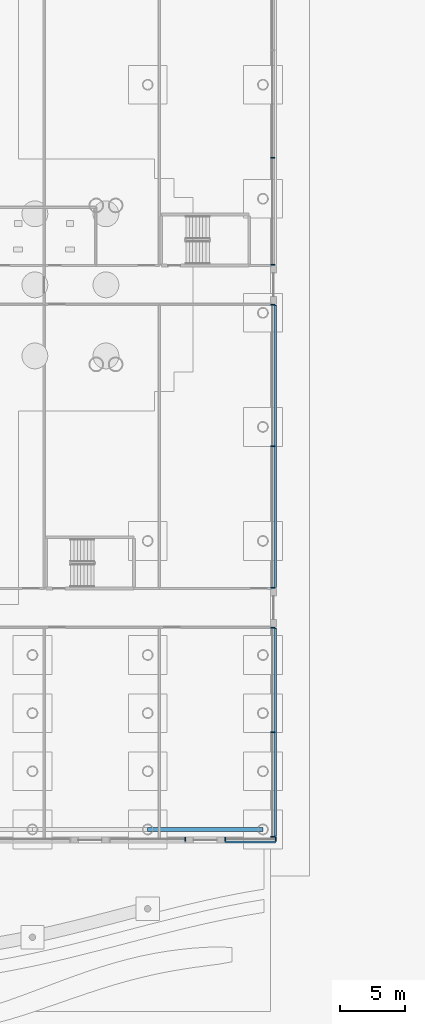
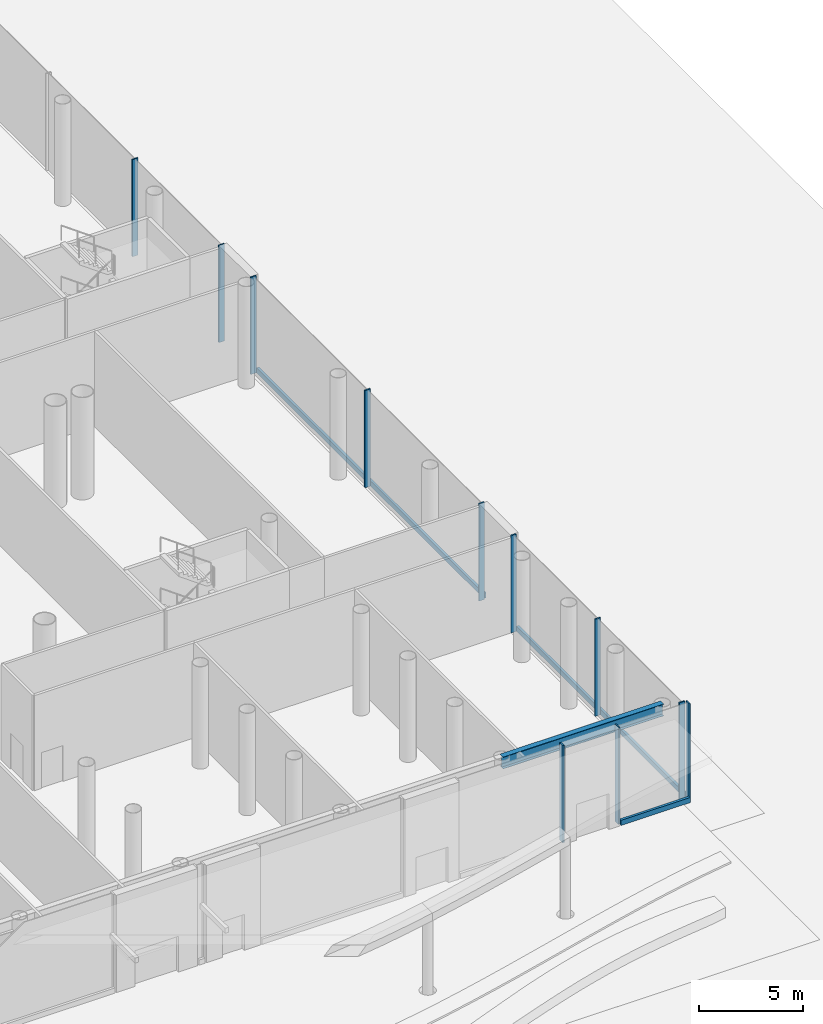
# One storey, part 14 of 75: 14 members, 1 beam, 5 elements without a shape of their own.
"""IFC4 building model written with IfcOpenShell, lengths in metres."""

from ifc_helpers import new_model, si_unit, direction, frame, origin, origin_2d, place, context, subcontext, project, spatial, rectangle, i_section, extrude, material, layer, layer_set, material_profile, profile_set, type_object, element, aggregate, save


model = new_model("IFC4")

# Units and contexts
model_context = context("Model", 3, precision=1e-05, world=origin(), true_north=direction((0.0, 1.0)))
body_context = subcontext(model_context, "Body", "Model", "MODEL_VIEW")
ifc_project = project(units=[si_unit("LENGTHUNIT", "METRE"), si_unit("AREAUNIT", "SQUARE_METRE"), si_unit("VOLUMEUNIT", "CUBIC_METRE"), si_unit("PLANEANGLEUNIT", "RADIAN"), si_unit("MASSUNIT", "GRAM", prefix="KILO")], contexts=[model_context])

# Site, building, storey
site_placement = place(None, origin())
site = spatial("IfcSite", under=ifc_project, at=site_placement, CompositionType="ELEMENT")
building_placement = place(site_placement, origin())
building = spatial("IfcBuilding", under=site, at=building_placement, Name="Ipe Terrace Towers", CompositionType="ELEMENT")
storey_placement = place(building_placement, origin())
storey = spatial("IfcBuildingStorey", under=building, at=storey_placement, Name="L00", CompositionType="ELEMENT", Elevation=0.0)

# Beam
ifc_material_1 = material(Name="Steel S355", Category="steel")
ifc_material_profile_1 = material_profile(ifc_material_1, i_section(OverallWidth=0.300048828125, OverallDepth=0.699951171875, WebThickness=0.012939453125, FlangeThickness=0.02392578125, at=origin_2d()), Name="H-700x300x13x24")
ifc_profile_set_1 = profile_set([ifc_material_profile_1], Name="Steel S355")
beam_type = type_object("IfcBeamType", Name="H13 DECK EDGE BEAM H-700x300x13x24", PredefinedType="BEAM", material=ifc_profile_set_1)
beam_placement = place(storey_placement, frame((55.72998046875, -42.14990234375, 5.22998046875), z_axis=(1.0, 0.0, 0.0), x_axis=(0.0, 1.0, 0.0)))
element("IfcBeam", 1, at=beam_placement, inside=storey, type_object=beam_type, Name="Deck edge beam PD-TB-A15-A16", PredefinedType="BEAM", context=body_context, shape_type="SweptSolid", body=[
    extrude(i_section(OverallWidth=0.300048828125, OverallDepth=0.699951171875, WebThickness=0.012939453125, FlangeThickness=0.02392578125, at=origin_2d()), origin(), (0.0, 0.0, 1.0), 8.919921875),
])

# Curtain wall, members
ifc_material_2 = material(Name="Aluminium alloy 6063-T6", Category="aluminium")
ifc_layer = layer(ifc_material_2, 0.43994140625)
ifc_layer_set = layer_set([ifc_layer], Name="PODIUM GLAZING CURTAIN WALL")
curtain_wall_type = type_object("IfcCurtainWallType", Name="PODIUM GLAZING CURTAIN WALL", PredefinedType="NOTDEFINED", material=ifc_layer_set)
curtain_wall_1_placement = place(storey_placement, origin())
curtain_wall_1 = element("IfcCurtainWall", 2, at=curtain_wall_1_placement, inside=storey, type_object=curtain_wall_type, Name="POD-CW-L00-00a curtain wall", PredefinedType="NOTDEFINED")
ifc_material_3 = material(Name="Aluminium alloy 6063-T6", Category="aluminium")
ifc_material_profile_2 = material_profile(ifc_material_3, rectangle(XDim=0.300048828125, YDim=0.080078125, at=origin_2d()), Name="PODIUM GLAZING MULLION 300 x 80")
ifc_profile_set_2 = profile_set([ifc_material_profile_2], Name="Aluminium alloy 6063-T6")
member_type_1 = type_object("IfcMemberType", Name="PODIUM GLAZING MULLION 300 x 80", PredefinedType="MULLION", material=ifc_profile_set_2)
member_1_placement = place(storey_placement, frame((65.39990234375, -42.7099609375, 0.0), z_axis=(0.0, 0.0, 1.0), x_axis=(1.0, 0.0, 0.0)))
member_1 = element("IfcMember", 3, at=member_1_placement, type_object=member_type_1, Name="POD-CW-L00-00a mullion 1", PredefinedType="MULLION", context=body_context, shape_type="SweptSolid", body=[
    extrude(rectangle(XDim=0.300048828125, YDim=0.080078125, at=origin_2d()), origin(), (0.0, 0.0, 1.0), 5.699951171875),
])
member_2_placement = place(storey_placement, frame((65.39990234375, -34.625, 0.0), z_axis=(0.0, 0.0, 1.0), x_axis=(1.0, 0.0, 0.0)))
member_2 = element("IfcMember", 4, at=member_2_placement, type_object=member_type_1, Name="POD-CW-L00-00a mullion 2", PredefinedType="MULLION", context=body_context, shape_type="SweptSolid", body=[
    extrude(rectangle(XDim=0.300048828125, YDim=0.080078125, at=origin_2d()), origin(), (0.0, 0.0, 1.0), 5.699951171875),
])
member_3_placement = place(storey_placement, frame((65.39990234375, -26.5400390625, 0.0), z_axis=(0.0, 0.0, 1.0), x_axis=(1.0, 0.0, 0.0)))
member_3 = element("IfcMember", 5, at=member_3_placement, type_object=member_type_1, Name="POD-CW-L00-00a mullion 3", PredefinedType="MULLION", context=body_context, shape_type="SweptSolid", body=[
    extrude(rectangle(XDim=0.300048828125, YDim=0.080078125, at=origin_2d()), origin(), (0.0, 0.0, 1.0), 5.699951171875),
])

curtain_wall_2_placement = place(storey_placement, origin())
curtain_wall_2 = element("IfcCurtainWall", 6, at=curtain_wall_2_placement, inside=storey, type_object=curtain_wall_type, Name="POD-CW-L00-00c curtain wall", PredefinedType="NOTDEFINED")
member_4_placement = place(storey_placement, frame((65.39990234375, -23.4599609375, 0.0), z_axis=(0.0, 0.0, 1.0), x_axis=(1.0, 0.0, 0.0)))
member_4 = element("IfcMember", 7, at=member_4_placement, type_object=member_type_1, Name="POD-CW-L00-00c mullion 1", PredefinedType="MULLION", context=body_context, shape_type="SweptSolid", body=[
    extrude(rectangle(XDim=0.300048828125, YDim=0.080078125, at=origin_2d()), origin(), (0.0, 0.0, 1.0), 5.699951171875),
])
member_5_placement = place(storey_placement, frame((65.39990234375, -12.5, 0.0), z_axis=(0.0, 0.0, 1.0), x_axis=(1.0, 0.0, 0.0)))
member_5 = element("IfcMember", 8, at=member_5_placement, type_object=member_type_1, Name="POD-CW-L00-00c mullion 2", PredefinedType="MULLION", context=body_context, shape_type="SweptSolid", body=[
    extrude(rectangle(XDim=0.300048828125, YDim=0.080078125, at=origin_2d()), origin(), (0.0, 0.0, 1.0), 5.699951171875),
])
member_6_placement = place(storey_placement, frame((65.39990234375, -1.5400390625, 0.0), z_axis=(0.0, 0.0, 1.0), x_axis=(1.0, 0.0, 0.0)))
member_6 = element("IfcMember", 9, at=member_6_placement, type_object=member_type_1, Name="POD-CW-L00-00c mullion 3", PredefinedType="MULLION", context=body_context, shape_type="SweptSolid", body=[
    extrude(rectangle(XDim=0.300048828125, YDim=0.080078125, at=origin_2d()), origin(), (0.0, 0.0, 1.0), 5.699951171875),
])

curtain_wall_3_placement = place(storey_placement, origin())
curtain_wall_3 = element("IfcCurtainWall", 10, at=curtain_wall_3_placement, inside=storey, type_object=curtain_wall_type, Name="POD-CW-L00-00e curtain wall", PredefinedType="NOTDEFINED")
member_7_placement = place(storey_placement, frame((65.39990234375, 1.5400390625, 0.0), z_axis=(0.0, 0.0, 1.0), x_axis=(1.0, 0.0, 0.0)))
member_7 = element("IfcMember", 11, at=member_7_placement, type_object=member_type_1, Name="POD-CW-L00-00e mullion 1", PredefinedType="MULLION", context=body_context, shape_type="SweptSolid", body=[
    extrude(rectangle(XDim=0.300048828125, YDim=0.080078125, at=origin_2d()), origin(), (0.0, 0.0, 1.0), 5.699951171875),
])
member_8_placement = place(storey_placement, frame((65.39990234375, 9.8466796875, 0.0), z_axis=(0.0, 0.0, 1.0), x_axis=(1.0, 0.0, 0.0)))
member_8 = element("IfcMember", 12, at=member_8_placement, type_object=member_type_1, Name="POD-CW-L00-00e mullion 2", PredefinedType="MULLION", context=body_context, shape_type="SweptSolid", body=[
    extrude(rectangle(XDim=0.300048828125, YDim=0.080078125, at=origin_2d()), origin(), (0.0, 0.0, 1.0), 5.699951171875),
])
aggregate(curtain_wall_3, [member_7, member_8])

# Curtain wall, member
curtain_wall_4_placement = place(storey_placement, origin())
curtain_wall_4 = element("IfcCurtainWall", 13, at=curtain_wall_4_placement, inside=storey, type_object=curtain_wall_type, Name="POD-CW-L00-03u curtain wall", PredefinedType="NOTDEFINED")
member_9_placement = place(storey_placement, frame((58.64990234375, -42.89990234375, 0.0), z_axis=(0.0, 0.0, 1.0), x_axis=(0.0, -1.0, 0.0)))
member_9 = element("IfcMember", 14, at=member_9_placement, type_object=member_type_1, Name="POD-CW-L00-03u mullion 2", PredefinedType="MULLION", context=body_context, shape_type="SweptSolid", body=[
    extrude(rectangle(XDim=0.300048828125, YDim=0.080078125, at=origin_2d()), origin(), (0.0, 0.0, 1.0), 5.699951171875),
])
aggregate(curtain_wall_4, [member_9])

# Curtain wall, members
curtain_wall_5_placement = place(storey_placement, origin())
curtain_wall_5 = element("IfcCurtainWall", 15, at=curtain_wall_5_placement, inside=storey, type_object=curtain_wall_type, Name="POD-CW-L00-03w curtain wall", PredefinedType="NOTDEFINED")
member_10_placement = place(storey_placement, frame((61.72998046875, -42.89990234375, 0.0), z_axis=(0.0, 0.0, 1.0), x_axis=(0.0, -1.0, 0.0)))
member_10 = element("IfcMember", 16, at=member_10_placement, type_object=member_type_1, Name="POD-CW-L00-03w mullion 1", PredefinedType="MULLION", context=body_context, shape_type="SweptSolid", body=[
    extrude(rectangle(XDim=0.300048828125, YDim=0.080078125, at=origin_2d()), origin(), (0.0, 0.0, 1.0), 5.699951171875),
])
member_11_placement = place(storey_placement, frame((65.64990234375, -42.89990234375, 0.0), z_axis=(0.0, 0.0, 1.0), x_axis=(0.0, -1.0, 0.0)))
member_11 = element("IfcMember", 17, at=member_11_placement, type_object=member_type_1, Name="POD-CW-L00-03w mullion 2", PredefinedType="MULLION", context=body_context, shape_type="SweptSolid", body=[
    extrude(rectangle(XDim=0.300048828125, YDim=0.080078125, at=origin_2d()), origin(), (0.0, 0.0, 1.0), 5.699951171875),
])

# Member
ifc_material_4 = material(Name="Aluminium alloy 6063-T6", Category="aluminium")
ifc_material_profile_3 = material_profile(ifc_material_4, rectangle(XDim=0.139892578125, YDim=0.300048828125, at=origin_2d()), Name="PODIUM GLAZING TRANSOM 140 x 300")
ifc_profile_set_3 = profile_set([ifc_material_profile_3], Name="Aluminium alloy 6063-T6")
member_type_2 = type_object("IfcMemberType", Name="PODIUM GLAZING TRANSOM 140 x 300", PredefinedType="USERDEFINED", material=ifc_profile_set_3)
member_12_placement = place(storey_placement, frame((65.6201171875, -42.669921875, 0.14990234375), z_axis=(0.0, 1.0, 0.0), x_axis=(1.0, 0.0, 0.0)))
member_12 = element("IfcMember", 18, at=member_12_placement, type_object=member_type_2, Name="POD-CW-L00-00a transom", ObjectType="TRANSOM", PredefinedType="USERDEFINED", context=body_context, shape_type="SweptSolid", body=[
    extrude(rectangle(XDim=0.139892578125, YDim=0.300048828125, at=origin_2d()), origin(), (0.0, 0.0, 1.0), 16.08984375),
])

aggregate(curtain_wall_1, [member_1, member_2, member_3, member_12])

member_13_placement = place(storey_placement, frame((65.6201171875, -23.419921875, 0.14990234375), z_axis=(0.0, 1.0, 0.0), x_axis=(1.0, 0.0, 0.0)))
member_13 = element("IfcMember", 19, at=member_13_placement, type_object=member_type_2, Name="POD-CW-L00-00c transom", ObjectType="TRANSOM", PredefinedType="USERDEFINED", context=body_context, shape_type="SweptSolid", body=[
    extrude(rectangle(XDim=0.139892578125, YDim=0.300048828125, at=origin_2d()), origin(), (0.0, 0.0, 1.0), 21.83984375),
])

aggregate(curtain_wall_2, [member_4, member_5, member_6, member_13])

member_14_placement = place(storey_placement, frame((61.77001953125, -43.1201171875, 0.14990234375), z_axis=(1.0, 0.0, 0.0), x_axis=(0.0, -1.0, 0.0)))
member_14 = element("IfcMember", 20, at=member_14_placement, type_object=member_type_2, Name="POD-CW-L00-03w transom", ObjectType="TRANSOM", PredefinedType="USERDEFINED", context=body_context, shape_type="SweptSolid", body=[
    extrude(rectangle(XDim=0.139892578125, YDim=0.300048828125, at=origin_2d()), origin(), (0.0, 0.0, 1.0), 3.840087890625),
])

aggregate(curtain_wall_5, [member_10, member_11, member_14])

save(model, "model.ifc")
